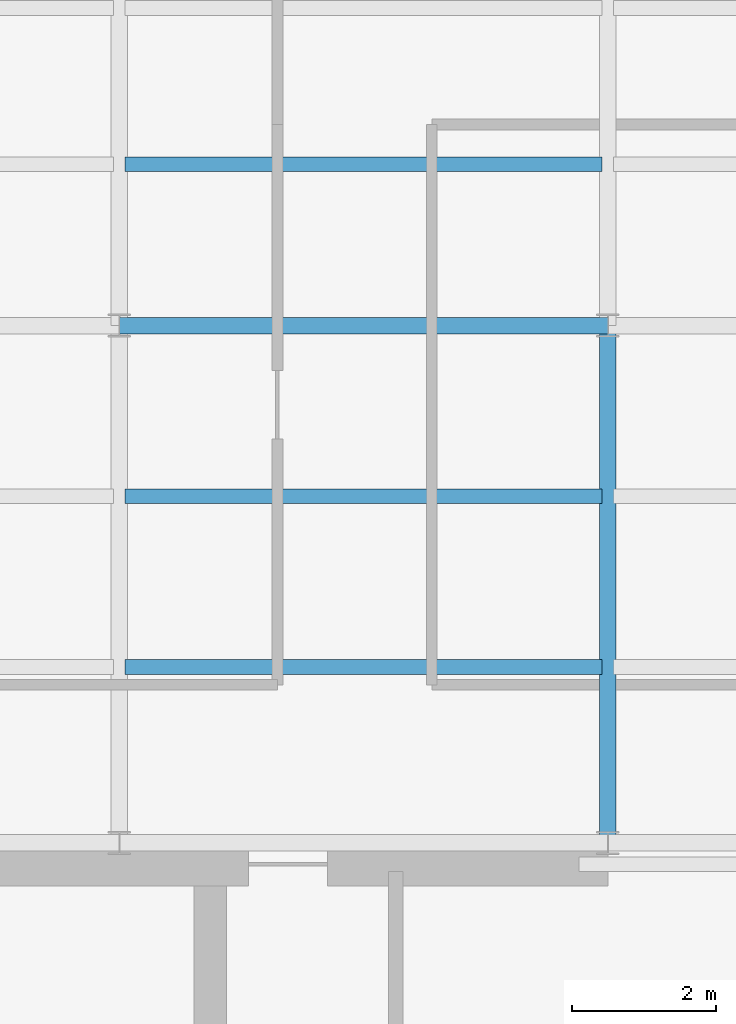
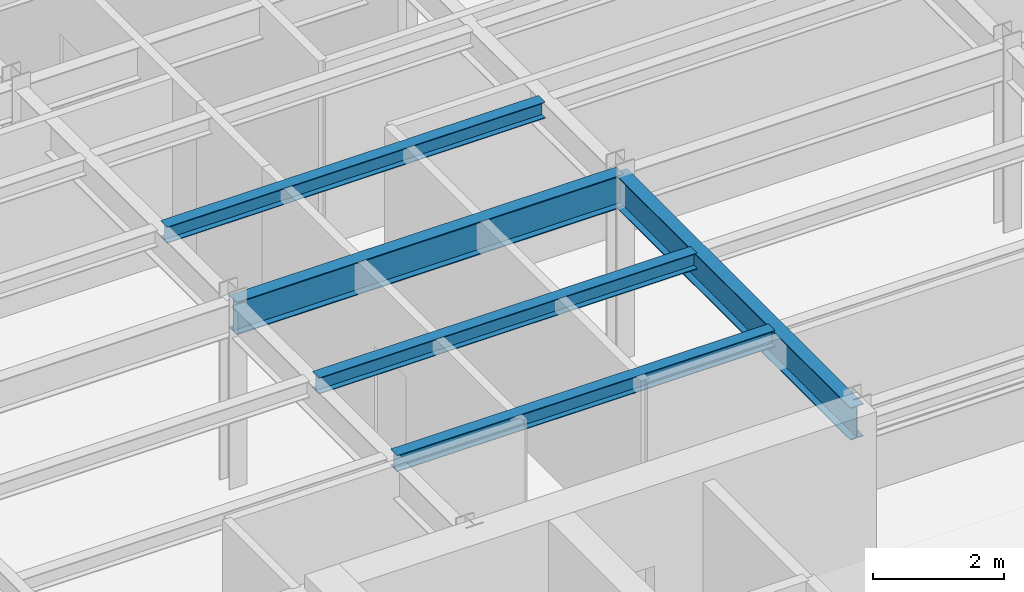
# One storey, part 6 of 22: 5 beams.
"""IFC4 building model written with IfcOpenShell, lengths in metres."""

from ifc_helpers import new_model, si_unit, derived_unit, direction, frame, origin, origin_2d, place, context, subcontext, project, spatial, i_section, extrude, source, transform, mapped, material, material_profile, profile_set, type_object, element, save


model = new_model("IFC4")

# Units and contexts
model_context = context("Model", 3, precision=1e-05, world=origin(), true_north=direction((0.0, 1.0)))
body_context = subcontext(model_context, "Body", "Model", "MODEL_VIEW")
ifc_project = project(units=[si_unit("LENGTHUNIT", "METRE"), si_unit("AREAUNIT", "SQUARE_METRE"), si_unit("VOLUMEUNIT", "CUBIC_METRE"), si_unit("PLANEANGLEUNIT", "RADIAN"), si_unit("MASSUNIT", "GRAM", prefix="KILO"), derived_unit("THERMALTRANSMITTANCEUNIT", [(si_unit("POWERUNIT", "WATT"), 1), (si_unit("LENGTHUNIT", "METRE"), -2), (si_unit("THERMODYNAMICTEMPERATUREUNIT", "KELVIN"), -1)])], contexts=[model_context])

# Site, building, storey
site_placement = place(None, origin())
site = spatial("IfcSite", under=ifc_project, at=site_placement, CompositionType="ELEMENT")
building_placement = place(site_placement, origin())
building = spatial("IfcBuilding", under=site, at=building_placement, Name="Skarnbrae Concourse Arena and Tower", CompositionType="ELEMENT")
storey_placement = place(building_placement, frame((0.0, 0.0, 244.199951171875)))
storey = spatial("IfcBuildingStorey", under=building, at=storey_placement, Name="L63", CompositionType="ELEMENT", Elevation=244.199951171875)

# Beams
ifc_material = material(Name="Steel CSA G40.21 350W", Category="steel")
ifc_material_profile_1 = material_profile(ifc_material, i_section(OverallWidth=0.22802734375, OverallDepth=0.60791015625, WebThickness=0.01123046875, FlangeThickness=0.017333984375, at=origin_2d()), Name="W610X113")
ifc_profile_set_1 = profile_set([ifc_material_profile_1], Name="Steel CSA G40.21 350W")
beam_type_1 = type_object("IfcBeamType", Name="BM-GIRD-W610X113", PredefinedType="BEAM", material=ifc_profile_set_1)
shared_shape_1 = source(origin(), body_context, "Body", "SweptSolid", [
    extrude(i_section(OverallWidth=0.22802734375, OverallDepth=0.60791015625, WebThickness=0.01123046875, FlangeThickness=0.017333984375, at=origin_2d()), origin(), (0.0, 0.0, 1.0), 6.7998046875),
])
beam_1_placement = place(storey_placement, frame((7.60009765625, 21.199951171875, 3.095947265625), z_axis=(1.0, 0.0, 0.0), x_axis=(0.0, 1.0, 0.0)))
element("IfcBeam", 1, at=beam_1_placement, inside=storey, type_object=beam_type_1, Name="L63 Primary E-W girder Y21.2-2", PredefinedType="BEAM", context=body_context, shape_type="MappedRepresentation", body=[
    mapped(shared_shape_1, transform((0.0, 0.0, 0.0))),
])
shared_shape_2 = source(origin(), body_context, "Body", "SweptSolid", [
    extrude(i_section(OverallWidth=0.22802734375, OverallDepth=0.60791015625, WebThickness=0.01123046875, FlangeThickness=0.017333984375, at=origin_2d()), origin(), (0.0, 0.0, 1.0), 7.199951171875),
])
beam_2_placement = place(storey_placement, frame((14.39990234375, 14.0, 3.095947265625), z_axis=(0.0, 1.0, 0.0), x_axis=(-1.0, 0.0, 0.0)))
element("IfcBeam", 2, at=beam_2_placement, inside=storey, type_object=beam_type_1, Name="L63 Primary N-S girder X14.4-1", PredefinedType="BEAM", context=body_context, shape_type="MappedRepresentation", body=[
    mapped(shared_shape_2, transform((0.0, 0.0, 0.0))),
])
ifc_material_profile_2 = material_profile(ifc_material, i_section(OverallWidth=0.202880859375, OverallDepth=0.302978515625, WebThickness=0.007568359375, FlangeThickness=0.01318359375, at=origin_2d()), Name="W310X60")
ifc_profile_set_2 = profile_set([ifc_material_profile_2], Name="Steel CSA G40.21 350W")
beam_type_2 = type_object("IfcBeamType", Name="BM-JOIST-W310X60", PredefinedType="JOIST", material=ifc_profile_set_2)
shared_shape_3 = source(origin(), body_context, "Body", "SweptSolid", [
    extrude(i_section(OverallWidth=0.202880859375, OverallDepth=0.302978515625, WebThickness=0.007568359375, FlangeThickness=0.01318359375, at=origin_2d()), origin(), (0.0, 0.0, 1.0), 6.64013671875),
])
for number, where, z_axis, x_axis, name in (
    (3, (7.679931640625, 16.447998046875, 3.24853515625), (1.0, 0.0, 0.0), (0.0, 1.0, 0.0), "L63 Secondary floor joist 1.1.2"),
    (4, (7.679931640625, 18.823974609375, 3.24853515625), (1.0, 0.0, 0.0), (0.0, 1.0, 0.0), "L63 Secondary floor joist 1.2.2"),
    (5, (7.679931640625, 23.444091796875, 3.24853515625), (1.0, 0.0, 0.0), (0.0, 1.0, 0.0), "L63 Secondary floor joist 2.1.2"),
):
    element("IfcBeam", number, at=place(storey_placement, frame(where, z_axis=z_axis, x_axis=x_axis)), inside=storey, type_object=beam_type_2, Name=name, PredefinedType="JOIST", context=body_context, shape_type="MappedRepresentation", body=[
        mapped(shared_shape_3, transform((0.0, 0.0, 0.0))),
    ])

save(model, "model.ifc")
